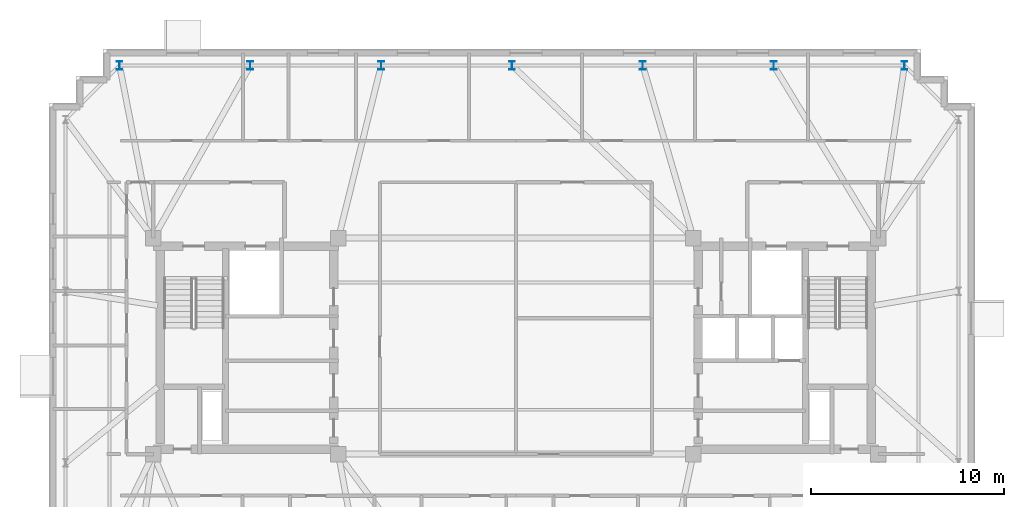
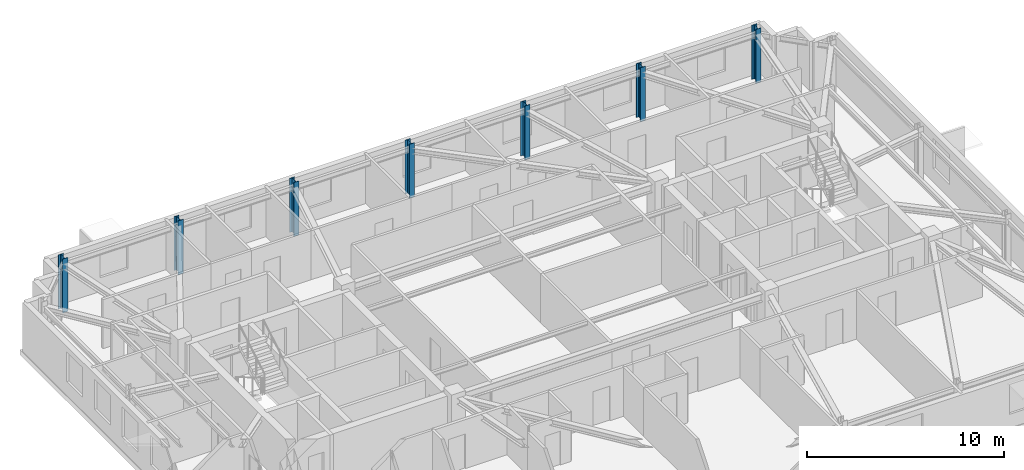
# One storey, part 3 of 11: 7 columns.
"""IFC4 building model written with IfcOpenShell, lengths in metres."""

from ifc_helpers import new_model, si_unit, direction, frame, origin, origin_2d, place, context, subcontext, project, spatial, i_section, extrude, material, material_profile, profile_set, type_object, element, save


model = new_model("IFC4")

# Units and contexts
model_context = context("Model", 3, precision=1e-05, world=origin(), true_north=direction((0.0, 1.0)))
body_context = subcontext(model_context, "Body", "Model", "MODEL_VIEW")
ifc_project = project(units=[si_unit("LENGTHUNIT", "METRE"), si_unit("AREAUNIT", "SQUARE_METRE"), si_unit("VOLUMEUNIT", "CUBIC_METRE"), si_unit("PLANEANGLEUNIT", "RADIAN"), si_unit("MASSUNIT", "GRAM", prefix="KILO")], contexts=[model_context])

# Site, building, storey
site_placement = place(None, origin())
site = spatial("IfcSite", under=ifc_project, at=site_placement, CompositionType="ELEMENT")
building_placement = place(site_placement, origin())
building = spatial("IfcBuilding", under=site, at=building_placement, Name="Qobustan Lattice House", CompositionType="ELEMENT")
storey_placement = place(building_placement, frame((0.0, 0.0, 245.050048828125)))
storey = spatial("IfcBuildingStorey", under=building, at=storey_placement, Name="L69", CompositionType="ELEMENT", Elevation=245.050048828125)

# Columns
ifc_material = material(Name="Steel S355", Category="steel")
ifc_material_profile = material_profile(ifc_material, i_section(OverallWidth=0.300048828125, OverallDepth=0.449951171875, WebThickness=0.013916015625, FlangeThickness=0.02587890625, FilletRadius=0.027099609375, at=origin_2d()), Name="HEB450")
ifc_profile_set = profile_set([ifc_material_profile], Name="Steel S355")
column_type = type_object("IfcColumnType", Name="COL-ST-HEB450", PredefinedType="COLUMN", material=ifc_profile_set)
for number, where, z_axis, x_axis, name in (
    (1, (20.14990234375, 14.550048828125, 0.0), (0.0, 0.0, 1.0), (1.0, 0.0, 0.0), "L69 B5 perimeter column N1"),
    (2, (13.36669921875, 14.550048828125, 0.0), (0.0, 0.0, 1.0), (1.0, 0.0, 0.0), "L69 B5 perimeter column N2"),
    (3, (6.583251953125, 14.550048828125, 0.0), (0.0, 0.0, 1.0), (1.0, 0.0, 0.0), "L69 B5 perimeter column N3"),
    (4, (-0.199951171875, 14.550048828125, 0.0), (0.0, 0.0, 1.0), (1.0, 0.0, 0.0), "L69 B5 perimeter column N4"),
    (5, (-6.9833984375, 14.550048828125, 0.0), (0.0, 0.0, 1.0), (1.0, 0.0, 0.0), "L69 B5 perimeter column N5"),
    (6, (-13.7666015625, 14.550048828125, 0.0), (0.0, 0.0, 1.0), (1.0, 0.0, 0.0), "L69 B5 perimeter column N6"),
    (7, (-20.550048828125, 14.550048828125, 0.0), (0.0, 0.0, 1.0), (1.0, 0.0, 0.0), "L69 B5 perimeter column N7"),
):
    element("IfcColumn", number, at=place(storey_placement, frame(where, z_axis=z_axis, x_axis=x_axis)), inside=storey, type_object=column_type, Name=name, PredefinedType="COLUMN", context=body_context, shape_type="SweptSolid", body=[
        extrude(i_section(OverallWidth=0.300048828125, OverallDepth=0.449951171875, WebThickness=0.013916015625, FlangeThickness=0.02587890625, FilletRadius=0.027099609375, at=origin_2d()), origin(), (0.0, 0.0, 1.0), 3.349853515625),
    ])

save(model, "model.ifc")
